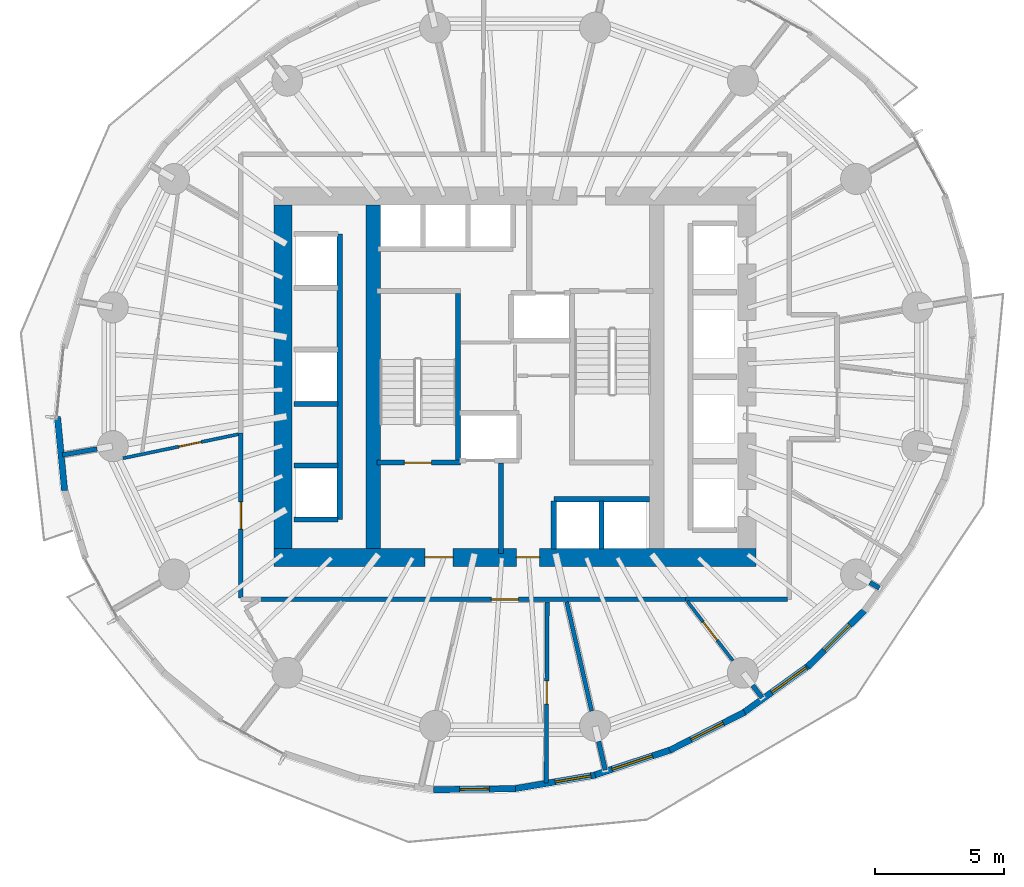
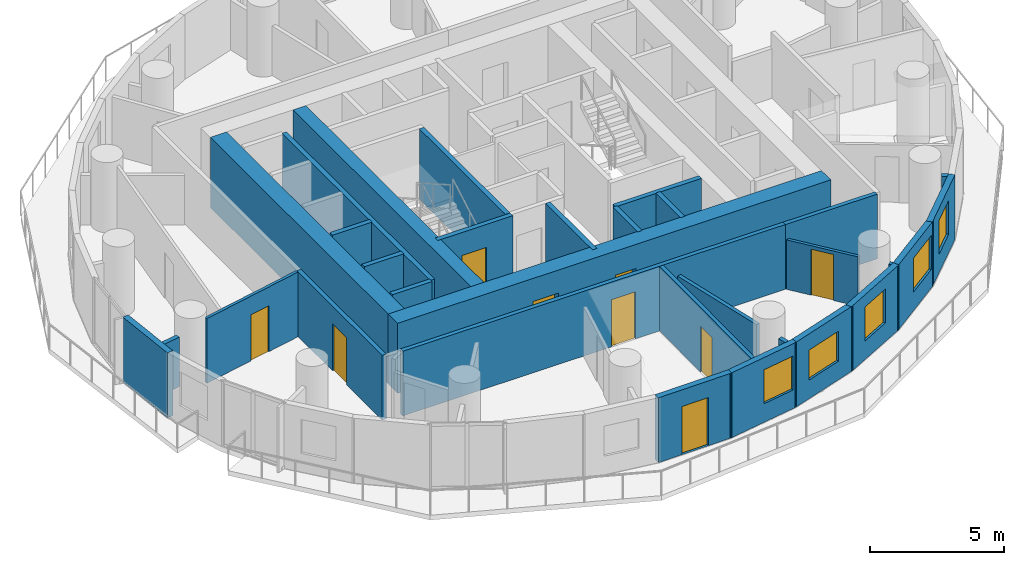
# One storey, part 7 of 14: 31 walls, 9 doors, 5 windows, 14 openings.
"""IFC4 building model written with IfcOpenShell, lengths in metres."""

from ifc_helpers import new_model, si_unit, direction, frame, frame_2d, origin, place, context, subcontext, project, spatial, rectangle, extrude, material, layer, layer_set, type_object, element, fill, save


model = new_model("IFC4")

# Units and contexts
model_context = context("Model", 3, precision=1e-05, world=origin(), true_north=direction((0.0, 1.0)))
body_context = subcontext(model_context, "Body", "Model", "MODEL_VIEW")
ifc_project = project(units=[si_unit("LENGTHUNIT", "METRE"), si_unit("AREAUNIT", "SQUARE_METRE"), si_unit("VOLUMEUNIT", "CUBIC_METRE"), si_unit("PLANEANGLEUNIT", "RADIAN"), si_unit("MASSUNIT", "GRAM", prefix="KILO")], contexts=[model_context])

# Site, building, storey
site_placement = place(None, origin())
site = spatial("IfcSite", under=ifc_project, at=site_placement, CompositionType="ELEMENT")
building_placement = place(site_placement, origin())
building = spatial("IfcBuilding", under=site, at=building_placement, Name="Veldorim Arch Residences", CompositionType="ELEMENT")
storey_placement = place(building_placement, frame((0.0, 0.0, 93.280029296875)))
storey = spatial("IfcBuildingStorey", under=building, at=storey_placement, Name="L27", CompositionType="ELEMENT", Elevation=93.280029296875)

# Wall, opening, door
ifc_material_1 = material(Name="Acoustic Gypsum Board", Category="gypsum")
ifc_layer_1 = layer(ifc_material_1, 0.125, Name="Acoustic Stud Room Partition Wall 125")
ifc_layer_set_1 = layer_set([ifc_layer_1], Name="Acoustic Gypsum Board")
wall_type_1 = type_object("IfcWallType", Name="Acoustic Stud Room Partition Wall 125", PredefinedType="PARTITIONING", material=ifc_layer_set_1)
wall_1_placement = place(storey_placement, frame((40.4423828125, 12.99365234375, 0.0), z_axis=(0.0, 0.0, 1.0), x_axis=(-0.608613879959, 0.793466536863, 0.0)))
wall_1 = element("IfcWall", 1, at=wall_1_placement, inside=storey, type_object=wall_type_1, Name="L27 interior wall WL-RES-L27-020", PredefinedType="PARTITIONING", context=body_context, shape_type="SweptSolid", body=[
    extrude(rectangle(XDim=2.89501953125, YDim=0.125, at=frame_2d((1.447509765625, 0.0))), origin(), (0.0, 0.0, 1.0), 2.26025390625),
])
opening_1_placement = place(wall_1_placement, frame((0.99755859375, 0.0, 0.0)))
opening_1 = element("IfcOpeningElement", 2, at=opening_1_placement, cuts=wall_1, Name="Opening DR-INT", PredefinedType="OPENING", context=body_context, shape_type="SweptSolid", body=[
    extrude(rectangle(XDim=0.89990234375, YDim=2.10009765625, at=frame_2d((0.449951171875, 1.050048828125))), frame((0.0, 0.072509765625, 0.0), z_axis=(0.0, -1.0, 0.0), x_axis=(1.0, 0.0, 0.0)), (0.0, 0.0, 1.0), 0.14501953125),
])
ifc_material_2 = material(Name="Engineered Timber", Category="wood")
door_type_1 = type_object("IfcDoorType", Name="Apartment Internal Room Timber Door 900x2100", OperationType="SINGLE_SWING_LEFT", PredefinedType="DOOR", material=ifc_material_2)
door_1_placement = place(opening_1_placement, origin())
door_1 = element("IfcDoor", 3, at=door_1_placement, inside=storey, type_object=door_type_1, Name="L27 interior door DR-RES-L27-007", OperationType="SINGLE_SWING_LEFT", OverallHeight=2.10009765625, OverallWidth=0.89990234375, PredefinedType="DOOR", context=body_context, shape_type="SweptSolid", body=[
    extrude(rectangle(XDim=0.89990234375, YDim=2.10009765625, at=frame_2d((0.449951171875, 1.050048828125))), frame((0.0, 0.02490234375, 0.0), z_axis=(0.0, -1.0, 0.0), x_axis=(1.0, 0.0, 0.0)), (0.0, 0.0, 1.0), 0.050048828125),
])
fill(opening_1, door_1)

wall_2_placement = place(storey_placement, frame((16.80126953125, 20.841796875, 0.0), z_axis=(0.0, 0.0, 1.0), x_axis=(0.979089254375, 0.203431147977, 0.0)))
wall_2 = element("IfcWall", 4, at=wall_2_placement, inside=storey, type_object=wall_type_1, Name="L27 interior wall WL-RES-L27-031", PredefinedType="PARTITIONING", context=body_context, shape_type="SweptSolid", body=[
    extrude(rectangle(XDim=4.56640625, YDim=0.125, at=frame_2d((2.283203125, 0.0))), origin(), (0.0, 0.0, 1.0), 2.955078125),
])
opening_2_placement = place(wall_2_placement, frame((2.1962890625, 0.0, 0.0)))
opening_2 = element("IfcOpeningElement", 5, at=opening_2_placement, cuts=wall_2, Name="Opening DR-INT", PredefinedType="OPENING", context=body_context, shape_type="SweptSolid", body=[
    extrude(rectangle(XDim=0.89990234375, YDim=2.10009765625, at=frame_2d((0.449951171875, 1.050048828125))), frame((0.0, 0.072509765625, 0.0), z_axis=(0.0, -1.0, 0.0), x_axis=(1.0, 0.0, 0.0)), (0.0, 0.0, 1.0), 0.14501953125),
])
door_2_placement = place(opening_2_placement, origin())
door_2 = element("IfcDoor", 6, at=door_2_placement, inside=storey, type_object=door_type_1, Name="L27 interior door DR-RES-L27-018", OperationType="SINGLE_SWING_RIGHT", OverallHeight=2.10009765625, OverallWidth=0.89990234375, PredefinedType="DOOR", context=body_context, shape_type="SweptSolid", body=[
    extrude(rectangle(XDim=0.89990234375, YDim=2.10009765625, at=frame_2d((0.449951171875, 1.050048828125))), frame((0.0, 0.02490234375, 0.0), z_axis=(0.0, -1.0, 0.0), x_axis=(1.0, 0.0, 0.0)), (0.0, 0.0, 1.0), 0.050048828125),
])
fill(opening_2, door_2)

# Walls
ifc_material_3 = material(Name="Lightweight Masonry Block & Gypsum", Category="masonry")
ifc_layer_2 = layer(ifc_material_3, 0.179931640625, Name="Compartment & Corridor Fire-Rated Party Wall 180")
ifc_layer_set_2 = layer_set([ifc_layer_2], Name="Lightweight Masonry Block & Gypsum")
wall_type_2 = type_object("IfcWallType", Name="Compartment & Corridor Fire-Rated Party Wall 180", PredefinedType="PARTITIONING", material=ifc_layer_set_2)
wall_3_placement = place(storey_placement, frame((15.79443359375, 21.202392578125, 0.0), z_axis=(0.0, 0.0, 1.0), x_axis=(-0.98540615772, -0.170219576807, 0.0)))
element("IfcWall", 7, at=wall_3_placement, inside=storey, type_object=wall_type_2, Name="L27 interior wall WL-PIER-L27-09", PredefinedType="PARTITIONING", context=body_context, shape_type="SweptSolid", body=[
    extrude(rectangle(XDim=1.359619140625, YDim=0.179931640625, at=frame_2d((0.6796875, 0.0))), origin(), (0.0, 0.0, 1.0), 2.26025390625),
])
wall_4_placement = place(storey_placement, frame((35.240478515625, 9.86083984375, 0.0), z_axis=(0.0, 0.0, 1.0), x_axis=(0.223325248633, -0.974743983476, 0.0)))
element("IfcWall", 8, at=wall_4_placement, inside=storey, type_object=wall_type_2, Name="L27 interior wall WL-PIER-L27-13", PredefinedType="PARTITIONING", context=body_context, shape_type="SweptSolid", body=[
    extrude(rectangle(XDim=1.13916015625, YDim=0.179931640625, at=frame_2d((0.569580078125, 0.0))), origin(), (0.0, 0.0, 1.0), 2.26025390625),
])
wall_5_placement = place(storey_placement, frame((41.2119140625, 12.034423828125, 0.0), z_axis=(0.0, 0.0, 1.0), x_axis=(0.609809319142, -0.792548165279, 0.0)))
element("IfcWall", 9, at=wall_5_placement, inside=storey, type_object=wall_type_2, Name="L27 interior wall WL-PIER-L27-14", PredefinedType="PARTITIONING", context=body_context, shape_type="SweptSolid", body=[
    extrude(rectangle(XDim=0.5986328125, YDim=0.179931640625, at=frame_2d((0.29931640625, 0.0))), origin(), (0.0, 0.0, 1.0), 2.26025390625),
])
wall_6_placement = place(storey_placement, frame((45.756591796875, 16.022216796875, 0.0), z_axis=(0.0, 0.0, 1.0), x_axis=(0.864926134071, -0.501899175733, 0.0)))
element("IfcWall", 10, at=wall_6_placement, inside=storey, type_object=wall_type_2, Name="L27 interior wall WL-PIER-L27-15", PredefinedType="PARTITIONING", context=body_context, shape_type="SweptSolid", body=[
    extrude(rectangle(XDim=0.423583984375, YDim=0.179931640625, at=frame_2d((0.2119140625, 0.0))), origin(), (0.0, 0.0, 1.0), 2.26025390625),
])

# Wall, opening, door
wall_7_placement = place(storey_placement, frame((38.644775390625, 15.3701171875, 0.0), z_axis=(0.0, 0.0, 1.0), x_axis=(-1.0, 0.0, 0.0)))
wall_7 = element("IfcWall", 11, at=wall_7_placement, inside=storey, type_object=wall_type_2, Name="L27 interior wall WL-RES-L27-001", PredefinedType="PARTITIONING", context=body_context, shape_type="SweptSolid", body=[
    extrude(rectangle(XDim=16.556640625, YDim=0.179931640625, at=frame_2d((8.2783203125, 0.0))), origin(), (0.0, 0.0, 1.0), 2.955078125),
])
opening_3_placement = place(wall_7_placement, frame((6.51318359375, 0.0, 0.0)))
opening_3 = element("IfcOpeningElement", 12, at=opening_3_placement, cuts=wall_7, Name="Opening DR-FLT", PredefinedType="OPENING", context=body_context, shape_type="SweptSolid", body=[
    extrude(rectangle(XDim=1.050048828125, YDim=2.14990234375, at=frame_2d((0.52490234375, 1.074951171875))), frame((0.0, 0.099853515625, 0.0), z_axis=(0.0, -1.0, 0.0), x_axis=(1.0, 0.0, 0.0)), (0.0, 0.0, 1.0), 0.199951171875),
])
ifc_material_4 = material(Name="Fire-Rated Timber", Category="wood")
door_type_2 = type_object("IfcDoorType", Name="Apartment Entrance Solid-Core Fire Door 1050x2150", OperationType="SINGLE_SWING_LEFT", PredefinedType="DOOR", material=ifc_material_4)
door_3_placement = place(opening_3_placement, origin())
door_3 = element("IfcDoor", 13, at=door_3_placement, inside=storey, type_object=door_type_2, Name="L27 interior door DR-RES-L27-001", OperationType="SINGLE_SWING_LEFT", OverallHeight=2.14990234375, OverallWidth=1.050048828125, PredefinedType="DOOR", context=body_context, shape_type="SweptSolid", body=[
    extrude(rectangle(XDim=1.050048828125, YDim=2.14990234375, at=frame_2d((0.52490234375, 1.074951171875))), frame((0.0, 0.02490234375, 0.0), z_axis=(0.0, -1.0, 0.0), x_axis=(1.0, 0.0, 0.0)), (0.0, 0.0, 1.0), 0.050048828125),
])
fill(opening_3, door_3)

# Wall
wall_8_placement = place(storey_placement, frame((42.570068359375, 15.3701171875, 0.0), z_axis=(0.0, 0.0, 1.0), x_axis=(-1.0, 0.0, 0.0)))
element("IfcWall", 14, at=wall_8_placement, inside=storey, type_object=wall_type_2, Name="L27 interior wall WL-RES-L27-005", PredefinedType="PARTITIONING", context=body_context, shape_type="SweptSolid", body=[
    extrude(rectangle(XDim=3.970458984375, YDim=0.179931640625, at=frame_2d((1.9853515625, 0.0))), origin(), (0.0, 0.0, 1.0), 2.955078125),
])

# Wall, opening, door
wall_9_placement = place(storey_placement, frame((21.3701171875, 15.429931640625, 0.0), z_axis=(0.0, 0.0, 1.0), x_axis=(0.0, 1.0, 0.0)))
wall_9 = element("IfcWall", 15, at=wall_9_placement, inside=storey, type_object=wall_type_2, Name="L27 interior wall WL-RES-L27-012", PredefinedType="PARTITIONING", context=body_context, shape_type="SweptSolid", body=[
    extrude(rectangle(XDim=6.381103515625, YDim=0.179931640625, at=frame_2d((3.1904296875, 0.0))), origin(), (0.0, 0.0, 1.0), 2.955078125),
])
opening_4_placement = place(wall_9_placement, frame((2.66552734375, 0.0, 0.0)))
opening_4 = element("IfcOpeningElement", 16, at=opening_4_placement, cuts=wall_9, Name="Opening DR-FLT", PredefinedType="OPENING", context=body_context, shape_type="SweptSolid", body=[
    extrude(rectangle(XDim=1.050048828125, YDim=2.14990234375, at=frame_2d((0.52490234375, 1.074951171875))), frame((0.0, 0.099853515625, 0.0), z_axis=(0.0, -1.0, 0.0), x_axis=(1.0, 0.0, 0.0)), (0.0, 0.0, 1.0), 0.199951171875),
])
door_4_placement = place(opening_4_placement, origin())
door_4 = element("IfcDoor", 17, at=door_4_placement, inside=storey, type_object=door_type_2, Name="L27 interior door DR-RES-L27-016", OperationType="SINGLE_SWING_RIGHT", OverallHeight=2.14990234375, OverallWidth=1.050048828125, PredefinedType="DOOR", context=body_context, shape_type="SweptSolid", body=[
    extrude(rectangle(XDim=1.050048828125, YDim=2.14990234375, at=frame_2d((0.52490234375, 1.074951171875))), frame((0.0, 0.02490234375, 0.0), z_axis=(0.0, -1.0, 0.0), x_axis=(1.0, 0.0, 0.0)), (0.0, 0.0, 1.0), 0.050048828125),
])
fill(opening_4, door_4)

# Wall
ifc_material_5 = material(Name="Concrete C50/60", Category="concrete")
ifc_layer_3 = layer(ifc_material_5, 0.199951171875, Name="Core Stair & Lift Shaft Enclosure Wall 200")
ifc_layer_set_3 = layer_set([ifc_layer_3], Name="Concrete C50/60")
wall_type_3 = type_object("IfcWallType", Name="Core Stair & Lift Shaft Enclosure Wall 200", PredefinedType="SHEAR", material=ifc_layer_set_3)
wall_10_placement = place(storey_placement, frame((29.7900390625, 20.780029296875, 0.0), z_axis=(0.0, 0.0, 1.0), x_axis=(0.0, 1.0, 0.0)))
element("IfcWall", 18, at=wall_10_placement, inside=storey, type_object=wall_type_3, Name="L27 shaft wall WL-SHF-L27-ST1-E", PredefinedType="SHEAR", context=body_context, shape_type="SweptSolid", body=[
    extrude(rectangle(XDim=6.43994140625, YDim=0.199951171875, at=frame_2d((3.219970703125, 0.0))), origin(), (0.0, 0.0, 1.0), 3.199951171875),
])

# Wall, opening, door
wall_11_placement = place(storey_placement, frame((26.64990234375, 20.669921875, 0.0), z_axis=(0.0, 0.0, 1.0), x_axis=(1.0, 0.0, 0.0)))
wall_11 = element("IfcWall", 19, at=wall_11_placement, inside=storey, type_object=wall_type_3, Name="L27 shaft wall WL-SHF-L27-ST1-S", PredefinedType="SHEAR", context=body_context, shape_type="SweptSolid", body=[
    extrude(rectangle(XDim=3.239990234375, YDim=0.199951171875, at=frame_2d((1.6201171875, 0.0))), origin(), (0.0, 0.0, 1.0), 3.199951171875),
])
opening_5_placement = place(wall_11_placement, frame((1.054931640625, 0.0, 0.0)))
opening_5 = element("IfcOpeningElement", 20, at=opening_5_placement, cuts=wall_11, Name="Opening DR-ST", PredefinedType="OPENING", context=body_context, shape_type="SweptSolid", body=[
    extrude(rectangle(XDim=1.050048828125, YDim=2.14990234375, at=frame_2d((0.52490234375, 1.074951171875))), frame((0.0, 0.10986328125, 0.0), z_axis=(0.0, -1.0, 0.0), x_axis=(1.0, 0.0, 0.0)), (0.0, 0.0, 1.0), 0.219970703125),
])
ifc_material_6 = material(Name="Fire-Rated Steel", Category="steel")
door_type_3 = type_object("IfcDoorType", Name="Exit Staircase Self-Closing Fire Door 1050x2150", OperationType="SINGLE_SWING_LEFT", PredefinedType="DOOR", material=ifc_material_6)
door_5_placement = place(opening_5_placement, origin())
door_5 = element("IfcDoor", 21, at=door_5_placement, inside=storey, type_object=door_type_3, Name="L27 interior door DR-L27-ST1", OperationType="SINGLE_SWING_LEFT", OverallHeight=2.14990234375, OverallWidth=1.050048828125, PredefinedType="DOOR", context=body_context, shape_type="SweptSolid", body=[
    extrude(rectangle(XDim=1.050048828125, YDim=2.14990234375, at=frame_2d((0.52490234375, 1.074951171875))), frame((0.0, 0.02490234375, 0.0), z_axis=(0.0, -1.0, 0.0), x_axis=(1.0, 0.0, 0.0)), (0.0, 0.0, 1.0), 0.050048828125),
])
fill(opening_5, door_5)

# Walls
wall_12_placement = place(storey_placement, frame((31.449951171875, 17.14990234375, 0.0), z_axis=(0.0, 0.0, 1.0), x_axis=(0.0, 1.0, 0.0)))
element("IfcWall", 22, at=wall_12_placement, inside=storey, type_object=wall_type_3, Name="L27 shaft wall WL-FFL1-L27-E", PredefinedType="SHEAR", context=body_context, shape_type="SweptSolid", body=[
    extrude(rectangle(XDim=3.5, YDim=0.199951171875, at=frame_2d((1.75, 0.0))), origin(), (0.0, 0.0, 1.0), 3.199951171875),
])
wall_13_placement = place(storey_placement, frame((25.199951171875, 18.4599609375, 0.0), z_axis=(0.0, 0.0, 1.0), x_axis=(0.0, 1.0, 0.0)))
element("IfcWall", 23, at=wall_13_placement, inside=storey, type_object=wall_type_3, Name="L27 shaft wall WL-B2-L27-E", PredefinedType="SHEAR", context=body_context, shape_type="SweptSolid", body=[
    extrude(rectangle(XDim=11.080078125, YDim=0.199951171875, at=frame_2d((5.5400390625, 0.0))), origin(), (0.0, 0.0, 1.0), 3.199951171875),
])
for number, where, z_axis, x_axis, name in (
    (24, (23.419921875, 18.4599609375, 0.0), (0.0, 0.0, 1.0), (1.0, 0.0, 0.0), "L27 shaft wall WL-B2-L27-S"),
    (25, (23.419921875, 20.56005859375, 0.0), (0.0, 0.0, 1.0), (1.0, 0.0, 0.0), "L27 shaft wall WL-B2-L27-D1A"),
    (26, (23.419921875, 22.93994140625, 0.0), (0.0, 0.0, 1.0), (1.0, 0.0, 0.0), "L27 shaft wall WL-B2-L27-D1B"),
):
    element("IfcWall", number, at=place(storey_placement, frame(where, z_axis=z_axis, x_axis=x_axis)), inside=storey, type_object=wall_type_3, Name=name, PredefinedType="SHEAR", context=body_context, shape_type="SweptSolid", body=[
        extrude(rectangle(XDim=1.7099609375, YDim=0.199951171875, at=frame_2d((0.85498046875, 0.0))), origin(), (0.0, 0.0, 1.0), 3.199951171875),
    ])
wall_14_placement = place(storey_placement, frame((33.5, 19.25, 0.0), z_axis=(0.0, 0.0, 1.0), x_axis=(1.0, 0.0, 0.0)))
element("IfcWall", 27, at=wall_14_placement, inside=storey, type_object=wall_type_3, Name="L27 shaft wall WL-OL-L27-N", PredefinedType="SHEAR", context=body_context, shape_type="SweptSolid", body=[
    extrude(rectangle(XDim=3.719970703125, YDim=0.199951171875, at=frame_2d((1.85986328125, 0.0))), origin(), (0.0, 0.0, 1.0), 3.199951171875),
])
for number, where, z_axis, x_axis, name in (
    (28, (33.5, 17.320068359375, 0.0), (0.0, 0.0, 1.0), (0.0, 1.0, 0.0), "L27 shaft wall WL-OL-L27-W"),
    (29, (35.35009765625, 17.320068359375, 0.0), (0.0, 0.0, 1.0), (0.0, 1.0, 0.0), "L27 shaft wall WL-OL-L27-D1"),
):
    element("IfcWall", number, at=place(storey_placement, frame(where, z_axis=z_axis, x_axis=x_axis)), inside=storey, type_object=wall_type_3, Name=name, PredefinedType="SHEAR", context=body_context, shape_type="SweptSolid", body=[
        extrude(rectangle(XDim=1.85986328125, YDim=0.199951171875, at=frame_2d((0.929931640625, 0.0))), origin(), (0.0, 0.0, 1.0), 3.199951171875),
    ])
ifc_material_7 = material(Name="Concrete C60/75", Category="concrete")
ifc_layer_4 = layer(ifc_material_7, 0.56005859375, Name="Internal Core Shear Web Wall 560")
ifc_layer_set_4 = layer_set([ifc_layer_4], Name="Concrete C60/75")
wall_type_4 = type_object("IfcWallType", Name="Internal Core Shear Web Wall 560", PredefinedType="SHEAR", material=ifc_layer_set_4)
wall_15_placement = place(storey_placement, frame((26.5, 17.35009765625, 0.0), z_axis=(0.0, 0.0, 1.0), x_axis=(0.0, 1.0, 0.0)))
element("IfcWall", 30, at=wall_15_placement, inside=storey, type_object=wall_type_4, Name="L27 core west internal shear web", PredefinedType="SHEAR", context=body_context, shape_type="SweptSolid", body=[
    extrude(rectangle(XDim=13.2998046875, YDim=0.56005859375, at=frame_2d((6.64990234375, 0.0))), origin(), (0.0, 0.0, 1.0), 3.199951171875),
])

# Wall, openings, doors
ifc_material_8 = material(Name="Concrete C60/75", Category="concrete")
ifc_layer_5 = layer(ifc_material_8, 0.699951171875, Name="Mid-Lower Central Core Shear Wall 700")
ifc_layer_set_5 = layer_set([ifc_layer_5], Name="Concrete C60/75")
wall_type_5 = type_object("IfcWallType", Name="Mid-Lower Central Core Shear Wall 700", PredefinedType="SHEAR", material=ifc_layer_set_5)
wall_16_placement = place(storey_placement, frame((22.64990234375, 17.0, 0.0), z_axis=(0.0, 0.0, 1.0), x_axis=(1.0, 0.0, 0.0)))
wall_16 = element("IfcWall", 31, at=wall_16_placement, inside=storey, type_object=wall_type_5, Name="L27 central core south shear wall", PredefinedType="SHEAR", context=body_context, shape_type="SweptSolid", body=[
    extrude(rectangle(XDim=18.7001953125, YDim=0.699951171875, at=frame_2d((9.35009765625, 0.0))), origin(), (0.0, 0.0, 1.0), 3.199951171875),
])
opening_6_placement = place(wall_16_placement, frame((5.85009765625, 0.0, 0.0)))
opening_6 = element("IfcOpeningElement", 32, at=opening_6_placement, cuts=wall_16, Name="Opening DR-FFL", PredefinedType="OPENING", context=body_context, shape_type="SweptSolid", body=[
    extrude(rectangle(XDim=1.10009765625, YDim=2.14990234375, at=frame_2d((0.550048828125, 1.074951171875))), frame((0.0, 0.35986328125, 0.0), z_axis=(0.0, -1.0, 0.0), x_axis=(1.0, 0.0, 0.0)), (0.0, 0.0, 1.0), 0.719970703125),
])
opening_7_placement = place(wall_16_placement, frame((9.39990234375, 0.0, 0.0)))
opening_7 = element("IfcOpeningElement", 33, at=opening_7_placement, cuts=wall_16, Name="Opening DR-SVC", PredefinedType="OPENING", context=body_context, shape_type="SweptSolid", body=[
    extrude(rectangle(XDim=0.89990234375, YDim=2.10009765625, at=frame_2d((0.449951171875, 1.050048828125))), frame((0.0, 0.35986328125, 0.0), z_axis=(0.0, -1.0, 0.0), x_axis=(1.0, 0.0, 0.0)), (0.0, 0.0, 1.0), 0.719970703125),
])
ifc_material_9 = material(Name="Fire-Rated Steel & Vision Glass", Category="steel")
door_type_4 = type_object("IfcDoorType", Name="Firefighting Lobby Smoke-Stop Fire Door 1100x2150", OperationType="SINGLE_SWING_LEFT", PredefinedType="DOOR", material=ifc_material_9)
door_6_placement = place(opening_6_placement, origin())
door_6 = element("IfcDoor", 34, at=door_6_placement, inside=storey, type_object=door_type_4, Name="L27 interior door DR-L27-FFL1", OperationType="SINGLE_SWING_RIGHT", OverallHeight=2.14990234375, OverallWidth=1.10009765625, PredefinedType="DOOR", context=body_context, shape_type="SweptSolid", body=[
    extrude(rectangle(XDim=1.10009765625, YDim=2.14990234375, at=frame_2d((0.550048828125, 1.074951171875))), frame((0.0, 0.02490234375, 0.0), z_axis=(0.0, -1.0, 0.0), x_axis=(1.0, 0.0, 0.0)), (0.0, 0.0, 1.0), 0.050048828125),
])
fill(opening_6, door_6)
ifc_material_10 = material(Name="Fire-Rated Steel", Category="steel")
door_type_5 = type_object("IfcDoorType", Name="Riser, Shelter & Plant Room Rated Steel Door 900x2100", OperationType="SINGLE_SWING_LEFT", PredefinedType="DOOR", material=ifc_material_10)
door_7_placement = place(opening_7_placement, origin())
door_7 = element("IfcDoor", 35, at=door_7_placement, inside=storey, type_object=door_type_5, Name="L27 interior door DR-L27-COR-ANC", OperationType="SINGLE_SWING_LEFT", OverallHeight=2.10009765625, OverallWidth=0.89990234375, PredefinedType="DOOR", context=body_context, shape_type="SweptSolid", body=[
    extrude(rectangle(XDim=0.89990234375, YDim=2.10009765625, at=frame_2d((0.449951171875, 1.050048828125))), frame((0.0, 0.02490234375, 0.0), z_axis=(0.0, -1.0, 0.0), x_axis=(1.0, 0.0, 0.0)), (0.0, 0.0, 1.0), 0.050048828125),
])
fill(opening_7, door_7)

# Walls
wall_17_placement = place(storey_placement, frame((23.0, 17.35009765625, 0.0), z_axis=(0.0, 0.0, 1.0), x_axis=(0.0, 1.0, 0.0)))
element("IfcWall", 36, at=wall_17_placement, inside=storey, type_object=wall_type_5, Name="L27 central core west shear wall", PredefinedType="SHEAR", context=body_context, shape_type="SweptSolid", body=[
    extrude(rectangle(XDim=13.2998046875, YDim=0.699951171875, at=frame_2d((6.64990234375, 0.0))), origin(), (0.0, 0.0, 1.0), 3.199951171875),
])
ifc_material_11 = material(Name="Precast concrete C40/50", Category="concrete")
ifc_layer_6 = layer(ifc_material_11, 0.25, Name="Tower Terracotta Spandrel & Pier Wall 250")
ifc_layer_set_6 = layer_set([ifc_layer_6], Name="Precast concrete C40/50")
wall_type_6 = type_object("IfcWallType", Name="Tower Terracotta Spandrel & Pier Wall 250", PredefinedType="SOLIDWALL", material=ifc_layer_set_6)
wall_18_placement = place(storey_placement, frame((14.533447265625, 19.587890625, 0.0), z_axis=(0.0, 0.0, 1.0), x_axis=(-0.096332339466, 0.995349225334, 0.0)))
element("IfcWall", 37, at=wall_18_placement, inside=storey, type_object=wall_type_6, Name="L27 terracotta facade wall 17", PredefinedType="SOLIDWALL", context=body_context, shape_type="SweptSolid", body=[
    extrude(rectangle(XDim=2.8740234375, YDim=0.25, at=frame_2d((1.43701171875, 0.0))), origin(), (0.0, 0.0, 1.0), 2.9599609375),
])

# Wall, opening, door
wall_19_placement = place(storey_placement, frame((32.02490234375, 8.0263671875, 0.0), z_axis=(0.0, 0.0, 1.0), x_axis=(-0.999936786044, -0.011243839023, 0.0)))
wall_19 = element("IfcWall", 38, at=wall_19_placement, inside=storey, type_object=wall_type_6, Name="L27 terracotta facade wall 25", PredefinedType="SOLIDWALL", context=body_context, shape_type="SweptSolid", body=[
    extrude(rectangle(XDim=3.19189453125, YDim=0.25, at=frame_2d((1.595947265625, 0.0))), origin(), (0.0, 0.0, 1.0), 2.9599609375),
])
opening_8_placement = place(wall_19_placement, frame((1.02099609375, 0.0, 0.0)))
opening_8 = element("IfcOpeningElement", 39, at=opening_8_placement, cuts=wall_19, Name="Opening BL-DR", PredefinedType="OPENING", context=body_context, shape_type="SweptSolid", body=[
    extrude(rectangle(XDim=1.14990234375, YDim=2.199951171875, at=frame_2d((0.574951171875, 1.10009765625))), frame((0.0, 0.135009765625, 0.0), z_axis=(0.0, -1.0, 0.0), x_axis=(1.0, 0.0, 0.0)), (0.0, 0.0, 1.0), 0.27001953125),
])
ifc_material_12 = material(Name="Aluminium & Low-E Glass", Category="aluminium")
door_type_6 = type_object("IfcDoorType", Name="Glazed Planted Balcony Door 1150x2200", OperationType="SINGLE_SWING_LEFT", PredefinedType="DOOR", material=ifc_material_12)
door_8_placement = place(opening_8_placement, origin())
door_8 = element("IfcDoor", 40, at=door_8_placement, inside=storey, type_object=door_type_6, Name="L27 glazed outdoor terrace door BALC-2", OperationType="SINGLE_SWING_LEFT", OverallHeight=2.199951171875, OverallWidth=1.14990234375, PredefinedType="DOOR", context=body_context, shape_type="SweptSolid", body=[
    extrude(rectangle(XDim=1.14990234375, YDim=2.199951171875, at=frame_2d((0.574951171875, 1.10009765625))), frame((0.0, 0.02490234375, 0.0), z_axis=(0.0, -1.0, 0.0), x_axis=(1.0, 0.0, 0.0)), (0.0, 0.0, 1.0), 0.050048828125),
])
fill(opening_8, door_8)

# Wall, opening, window
wall_20_placement = place(storey_placement, frame((35.107421875, 8.555419921875, 0.0), z_axis=(0.0, 0.0, 1.0), x_axis=(-0.986043062305, -0.166490478044, 0.0)))
wall_20 = element("IfcWall", 41, at=wall_20_placement, inside=storey, type_object=wall_type_6, Name="L27 terracotta facade wall 26", PredefinedType="SOLIDWALL", context=body_context, shape_type="SweptSolid", body=[
    extrude(rectangle(XDim=3.236328125, YDim=0.25, at=frame_2d((1.6181640625, 0.0))), origin(), (0.0, 0.0, 1.0), 2.9599609375),
])
opening_9_placement = place(wall_20_placement, frame((0.175048828125, 0.0, 0.85009765625)))
opening_9 = element("IfcOpeningElement", 42, at=opening_9_placement, cuts=wall_20, Name="Opening WN-02", PredefinedType="OPENING", context=body_context, shape_type="SweptSolid", body=[
    extrude(rectangle(XDim=1.39990234375, YDim=1.550048828125, at=frame_2d((0.699951171875, 0.77490234375))), frame((0.0, 0.135009765625, 0.0), z_axis=(0.0, -1.0, 0.0), x_axis=(1.0, 0.0, 0.0)), (0.0, 0.0, 1.0), 0.27001953125),
])
ifc_material_13 = material(Name="Laminated Low-E Glass", Category="glass")
window_type_1 = type_object("IfcWindowType", Name="Residential Casement Window 1400x1550", PartitioningType="SINGLE_PANEL", PredefinedType="WINDOW", material=ifc_material_13)
window_1_placement = place(opening_9_placement, origin())
window_1 = element("IfcWindow", 43, at=window_1_placement, inside=storey, type_object=window_type_1, Name="L27 solar-control facade window 26", OverallHeight=1.550048828125, OverallWidth=1.39990234375, PartitioningType="SINGLE_PANEL", PredefinedType="WINDOW", context=body_context, shape_type="SweptSolid", body=[
    extrude(rectangle(XDim=1.39990234375, YDim=1.550048828125, at=frame_2d((0.699951171875, 0.77490234375))), frame((0.0, 0.030029296875, 0.0), z_axis=(0.0, -1.0, 0.0), x_axis=(1.0, 0.0, 0.0)), (0.0, 0.0, 1.0), 0.06005859375),
])
fill(opening_9, window_1)

wall_21_placement = place(storey_placement, frame((38.095703125, 9.5546875, 0.0), z_axis=(0.0, 0.0, 1.0), x_axis=(-0.949206293356, -0.314654433709, 0.0)))
wall_21 = element("IfcWall", 44, at=wall_21_placement, inside=storey, type_object=wall_type_6, Name="L27 terracotta facade wall 27", PredefinedType="SOLIDWALL", context=body_context, shape_type="SweptSolid", body=[
    extrude(rectangle(XDim=3.259521484375, YDim=0.25, at=frame_2d((1.6298828125, 0.0))), origin(), (0.0, 0.0, 1.0), 2.9599609375),
])
opening_10_placement = place(wall_21_placement, frame((0.804931640625, 0.0, 0.85009765625)))
opening_10 = element("IfcOpeningElement", 45, at=opening_10_placement, cuts=wall_21, Name="Opening WN-03", PredefinedType="OPENING", context=body_context, shape_type="SweptSolid", body=[
    extrude(rectangle(XDim=1.64990234375, YDim=1.3701171875, at=frame_2d((0.824951171875, 0.68505859375))), frame((0.0, 0.135009765625, 0.0), z_axis=(0.0, -1.0, 0.0), x_axis=(1.0, 0.0, 0.0)), (0.0, 0.0, 1.0), 0.27001953125),
])
ifc_material_14 = material(Name="Laminated Low-E Glass", Category="glass")
window_type_2 = type_object("IfcWindowType", Name="Residential Wide Window 1650x1550", PartitioningType="SINGLE_PANEL", PredefinedType="WINDOW", material=ifc_material_14)
window_2_placement = place(opening_10_placement, origin())
window_2 = element("IfcWindow", 46, at=window_2_placement, inside=storey, type_object=window_type_2, Name="L27 solar-control facade window 27", OverallHeight=1.3701171875, OverallWidth=1.64990234375, PartitioningType="SINGLE_PANEL", PredefinedType="WINDOW", context=body_context, shape_type="SweptSolid", body=[
    extrude(rectangle(XDim=1.64990234375, YDim=1.3701171875, at=frame_2d((0.824951171875, 0.68505859375))), frame((0.0, 0.030029296875, 0.0), z_axis=(0.0, -1.0, 0.0), x_axis=(1.0, 0.0, 0.0)), (0.0, 0.0, 1.0), 0.06005859375),
])
fill(opening_10, window_2)

wall_22_placement = place(storey_placement, frame((40.89892578125, 10.99365234375, 0.0), z_axis=(0.0, 0.0, 1.0), x_axis=(-0.89081817606, -0.454359964347, 0.0)))
wall_22 = element("IfcWall", 47, at=wall_22_placement, inside=storey, type_object=wall_type_6, Name="L27 terracotta facade wall 28", PredefinedType="SOLIDWALL", context=body_context, shape_type="SweptSolid", body=[
    extrude(rectangle(XDim=3.259521484375, YDim=0.25, at=frame_2d((1.6298828125, 0.0))), origin(), (0.0, 0.0, 1.0), 2.9599609375),
])
opening_11_placement = place(wall_22_placement, frame((0.929931640625, 0.0, 0.85009765625)))
opening_11 = element("IfcOpeningElement", 48, at=opening_11_placement, cuts=wall_22, Name="Opening WN-02", PredefinedType="OPENING", context=body_context, shape_type="SweptSolid", body=[
    extrude(rectangle(XDim=1.39990234375, YDim=1.550048828125, at=frame_2d((0.699951171875, 0.77490234375))), frame((0.0, 0.135009765625, 0.0), z_axis=(0.0, -1.0, 0.0), x_axis=(1.0, 0.0, 0.0)), (0.0, 0.0, 1.0), 0.27001953125),
])
window_3_placement = place(opening_11_placement, origin())
window_3 = element("IfcWindow", 49, at=window_3_placement, inside=storey, type_object=window_type_1, Name="L27 solar-control facade window 28", OverallHeight=1.550048828125, OverallWidth=1.39990234375, PartitioningType="SINGLE_PANEL", PredefinedType="WINDOW", context=body_context, shape_type="SweptSolid", body=[
    extrude(rectangle(XDim=1.39990234375, YDim=1.550048828125, at=frame_2d((0.699951171875, 0.77490234375))), frame((0.0, 0.030029296875, 0.0), z_axis=(0.0, -1.0, 0.0), x_axis=(1.0, 0.0, 0.0)), (0.0, 0.0, 1.0), 0.06005859375),
])
fill(opening_11, window_3)

wall_23_placement = place(storey_placement, frame((43.431640625, 12.828857421875, 0.0), z_axis=(0.0, 0.0, 1.0), x_axis=(-0.81131534838, -0.584608762749, 0.0)))
wall_23 = element("IfcWall", 50, at=wall_23_placement, inside=storey, type_object=wall_type_6, Name="L27 terracotta facade wall 29", PredefinedType="SOLIDWALL", context=body_context, shape_type="SweptSolid", body=[
    extrude(rectangle(XDim=3.236083984375, YDim=0.25, at=frame_2d((1.6181640625, 0.0))), origin(), (0.0, 0.0, 1.0), 2.9599609375),
])
opening_12_placement = place(wall_23_placement, frame((0.175048828125, 0.0, 0.85009765625)))
opening_12 = element("IfcOpeningElement", 51, at=opening_12_placement, cuts=wall_23, Name="Opening WN-03", PredefinedType="OPENING", context=body_context, shape_type="SweptSolid", body=[
    extrude(rectangle(XDim=1.64990234375, YDim=1.550048828125, at=frame_2d((0.824951171875, 0.77490234375))), frame((0.0, 0.135009765625, 0.0), z_axis=(0.0, -1.0, 0.0), x_axis=(1.0, 0.0, 0.0)), (0.0, 0.0, 1.0), 0.27001953125),
])
window_4_placement = place(opening_12_placement, origin())
window_4 = element("IfcWindow", 52, at=window_4_placement, inside=storey, type_object=window_type_2, Name="L27 solar-control facade window 29", OverallHeight=1.550048828125, OverallWidth=1.64990234375, PartitioningType="SINGLE_PANEL", PredefinedType="WINDOW", context=body_context, shape_type="SweptSolid", body=[
    extrude(rectangle(XDim=1.64990234375, YDim=1.550048828125, at=frame_2d((0.824951171875, 0.77490234375))), frame((0.0, 0.030029296875, 0.0), z_axis=(0.0, -1.0, 0.0), x_axis=(1.0, 0.0, 0.0)), (0.0, 0.0, 1.0), 0.06005859375),
])
fill(opening_12, window_4)

wall_24_placement = place(storey_placement, frame((45.6162109375, 15.004150390625, 0.0), z_axis=(0.0, 0.0, 1.0), x_axis=(-0.710540573889, -0.703656232017, 0.0)))
wall_24 = element("IfcWall", 53, at=wall_24_placement, inside=storey, type_object=wall_type_6, Name="L27 terracotta facade wall 30", PredefinedType="SOLIDWALL", context=body_context, shape_type="SweptSolid", body=[
    extrude(rectangle(XDim=3.191650390625, YDim=0.25, at=frame_2d((1.595703125, 0.0))), origin(), (0.0, 0.0, 1.0), 2.9599609375),
])
opening_13_placement = place(wall_24_placement, frame((0.89599609375, 0.0, 0.85009765625)))
opening_13 = element("IfcOpeningElement", 54, at=opening_13_placement, cuts=wall_24, Name="Opening WN-02", PredefinedType="OPENING", context=body_context, shape_type="SweptSolid", body=[
    extrude(rectangle(XDim=1.39990234375, YDim=1.550048828125, at=frame_2d((0.699951171875, 0.77490234375))), frame((0.0, 0.135009765625, 0.0), z_axis=(0.0, -1.0, 0.0), x_axis=(1.0, 0.0, 0.0)), (0.0, 0.0, 1.0), 0.27001953125),
])
window_5_placement = place(opening_13_placement, origin())
window_5 = element("IfcWindow", 55, at=window_5_placement, inside=storey, type_object=window_type_1, Name="L27 solar-control facade window 30", OverallHeight=1.550048828125, OverallWidth=1.39990234375, PartitioningType="SINGLE_PANEL", PredefinedType="WINDOW", context=body_context, shape_type="SweptSolid", body=[
    extrude(rectangle(XDim=1.39990234375, YDim=1.550048828125, at=frame_2d((0.699951171875, 0.77490234375))), frame((0.0, 0.030029296875, 0.0), z_axis=(0.0, -1.0, 0.0), x_axis=(1.0, 0.0, 0.0)), (0.0, 0.0, 1.0), 0.06005859375),
])
fill(opening_13, window_5)

# Wall, opening, door
ifc_material_15 = material(Name="Moisture-Resistant Gypsum & Stud", Category="gypsum")
ifc_layer_7 = layer(ifc_material_15, 0.159912109375, Name="Wet-Area Moisture-Resistant Plumbing Wall 160")
ifc_layer_set_7 = layer_set([ifc_layer_7], Name="Moisture-Resistant Gypsum & Stud")
wall_type_7 = type_object("IfcWallType", Name="Wet-Area Moisture-Resistant Plumbing Wall 160", PredefinedType="PLUMBINGWALL", material=ifc_layer_set_7)
wall_25_placement = place(storey_placement, frame((33.248291015625, 15.27001953125, 0.0), z_axis=(0.0, 0.0, 1.0), x_axis=(-0.006016026892, -0.999981903546, 0.0)))
wall_25 = element("IfcWall", 56, at=wall_25_placement, inside=storey, type_object=wall_type_7, Name="L27 interior wall WL-RES-L27-013", PredefinedType="PLUMBINGWALL", context=body_context, shape_type="SweptSolid", body=[
    extrude(rectangle(XDim=7.020751953125, YDim=0.159912109375, at=frame_2d((3.51025390625, 0.0))), origin(), (0.0, 0.0, 1.0), 2.955078125),
])
opening_14_placement = place(wall_25_placement, frame((3.060302734375, 0.0, 0.0)))
opening_14 = element("IfcOpeningElement", 57, at=opening_14_placement, cuts=wall_25, Name="Opening DR-WC", PredefinedType="OPENING", context=body_context, shape_type="SweptSolid", body=[
    extrude(rectangle(XDim=0.89990234375, YDim=2.10009765625, at=frame_2d((0.449951171875, 1.050048828125))), frame((0.0, 0.08984375, 0.0), z_axis=(0.0, -1.0, 0.0), x_axis=(1.0, 0.0, 0.0)), (0.0, 0.0, 1.0), 0.179931640625),
])
ifc_material_16 = material(Name="Laminate Timber", Category="wood")
door_type_7 = type_object("IfcDoorType", Name="Bathroom & Accessible WC Moisture-Sealed Door 900x2100", OperationType="SINGLE_SWING_LEFT", PredefinedType="DOOR", material=ifc_material_16)
door_9_placement = place(opening_14_placement, origin())
door_9 = element("IfcDoor", 58, at=door_9_placement, inside=storey, type_object=door_type_7, Name="L27 interior door DR-RES-L27-002", OperationType="SINGLE_SWING_RIGHT", OverallHeight=2.10009765625, OverallWidth=0.89990234375, PredefinedType="DOOR", context=body_context, shape_type="SweptSolid", body=[
    extrude(rectangle(XDim=0.89990234375, YDim=2.10009765625, at=frame_2d((0.449951171875, 1.050048828125))), frame((0.0, 0.02490234375, 0.0), z_axis=(0.0, -1.0, 0.0), x_axis=(1.0, 0.0, 0.0)), (0.0, 0.0, 1.0), 0.050048828125),
])
fill(opening_14, door_9)

# Wall
wall_26_placement = place(storey_placement, frame((34.0, 15.2724609375, 0.0), z_axis=(0.0, 0.0, 1.0), x_axis=(0.223409547543, -0.974724665773, 0.0)))
element("IfcWall", 59, at=wall_26_placement, inside=storey, type_object=wall_type_7, Name="L27 interior wall WL-RES-L27-015", PredefinedType="PLUMBINGWALL", context=body_context, shape_type="SweptSolid", body=[
    extrude(rectangle(XDim=4.341552734375, YDim=0.159912109375, at=frame_2d((2.1708984375, 0.0))), origin(), (0.0, 0.0, 1.0), 2.26025390625),
])

save(model, "model.ifc")
